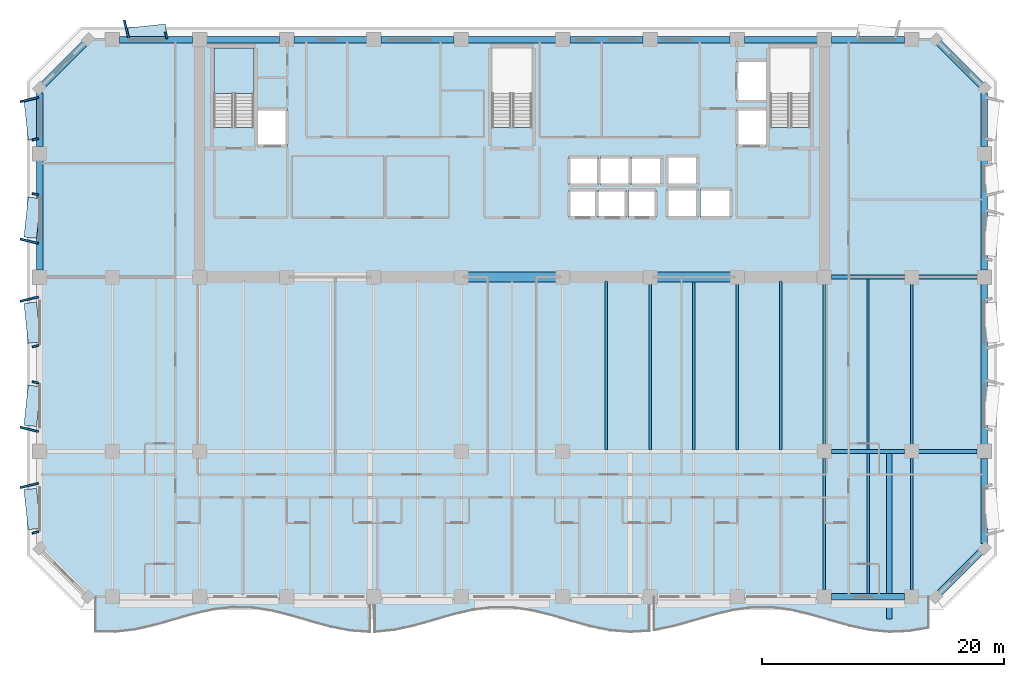
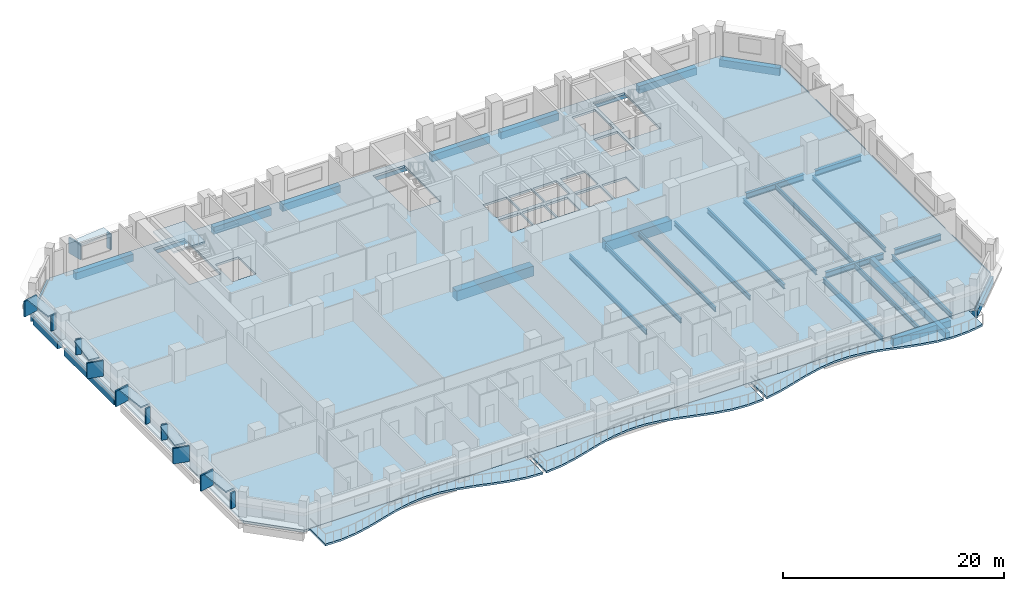
# One storey, part 2 of 15: 37 beams, 18 plates, 5 slabs, 1 element without a shape of its own.
"""IFC4 building model written with IfcOpenShell, lengths in metres."""

import ifcopenshell
import ifcopenshell.guid

model = None  # the IFC model being written
_history = None  # IfcOwnerHistory: only IFC2X3 demands one
_inside = {}  # id of a spatial element -> (the spatial element, [elements in it])
_under = {}  # id of a project, library or spatial element -> (it, [spatial elements below it])
_declared = {}  # id of a project -> (the project, [libraries it declares])
_typed = {}  # id of a type object -> (the type object, [elements of that type])
_made_of = {}  # id of a material, layer set ... -> (it, [elements and type objects made of it])


def new_model(schema):
    """Start an empty IFC model of exactly this schema.

    Asked for "IFC4X3", IfcOpenShell would pick the latest addendum, in which some entities
    have other attributes; the version numbers below select the first issue.
    IFC2X3 requires an IfcOwnerHistory on every rooted entity: one is made here for all.
    """
    global model, _history
    if schema == "IFC4X3":
        model = ifcopenshell.file(schema_version=(4, 3, 0, 0))
    else:
        model = ifcopenshell.file(schema=schema)
    _inside.clear()
    _under.clear()
    _declared.clear()
    _typed.clear()
    _made_of.clear()
    _history = None
    if model.schema == "IFC2X3":
        org = make("IfcOrganization", Name="unknown")
        user = make(
            "IfcPersonAndOrganization",
            ThePerson=make("IfcPerson", FamilyName="unknown"),
            TheOrganization=org,
        )
        app = make(
            "IfcApplication",
            ApplicationDeveloper=org,
            Version="unknown",
            ApplicationFullName="unknown",
            ApplicationIdentifier="unknown",
        )
        _history = make(
            "IfcOwnerHistory",
            OwningUser=user,
            OwningApplication=app,
            ChangeAction="ADDED",
            CreationDate=0,
        )
    return model


def make(cls, **values):
    """One entity of the class cls with the attributes given. An attribute that is None is left unset."""
    return model.create_entity(
        cls, **{name: value for name, value in values.items() if value is not None}
    )


def rooted(cls, **values):
    """An entity with a GlobalId (a new one), such as an element, a storey or a relation."""
    return make(cls, GlobalId=ifcopenshell.guid.new(), OwnerHistory=_history, **values)


def si_unit(unit_type, name, prefix=None):
    """IfcSIUnit, for example si_unit("LENGTHUNIT", "METRE", prefix="MILLI")."""
    return make("IfcSIUnit", UnitType=unit_type, Prefix=prefix, Name=name)


def assignment(units):
    """IfcUnitAssignment: the units of a project."""
    return None if units is None else make("IfcUnitAssignment", Units=units)


def point(xyz):
    """IfcCartesianPoint."""
    return None if xyz is None else make("IfcCartesianPoint", Coordinates=xyz)


def direction(xyz):
    """IfcDirection."""
    return None if xyz is None else make("IfcDirection", DirectionRatios=xyz)


def frame(location, z_axis=None, x_axis=None):
    """IfcAxis2Placement3D, a coordinate frame: its origin and axes. An axis left out is left unset."""
    return make(
        "IfcAxis2Placement3D",
        Location=point(location),
        Axis=direction(z_axis),
        RefDirection=direction(x_axis),
    )


def frame_2d(location, x_axis=None):
    """IfcAxis2Placement2D, a coordinate frame in the plane: its origin and x axis."""
    return make(
        "IfcAxis2Placement2D", Location=point(location), RefDirection=direction(x_axis)
    )


def origin():
    """The frame at (0, 0, 0) with its axes left unset."""
    return frame((0.0, 0.0, 0.0))


def origin_2d():
    """The frame at (0, 0) in the plane with its x axis left unset."""
    return frame_2d((0.0, 0.0))


def place(relative_to, where):
    """IfcLocalPlacement: puts the frame where relative to a parent placement (None: the world)."""
    return make(
        "IfcLocalPlacement", PlacementRelTo=relative_to, RelativePlacement=where
    )


def context(
    kind, dimensions, precision=None, world=None, true_north=None, identifier=None
):
    """IfcGeometricRepresentationContext, for example the 3D "Model" context."""
    return make(
        "IfcGeometricRepresentationContext",
        ContextIdentifier=identifier,
        ContextType=kind,
        CoordinateSpaceDimension=dimensions,
        Precision=precision,
        WorldCoordinateSystem=world,
        TrueNorth=true_north,
    )


def subcontext(parent, identifier, kind, view, scale=None):
    """IfcGeometricRepresentationSubContext, for example "Body" below "Model"."""
    return make(
        "IfcGeometricRepresentationSubContext",
        ContextIdentifier=identifier,
        ContextType=kind,
        ParentContext=parent,
        TargetScale=scale,
        TargetView=view,
    )


def project(units=None, contexts=None):
    """IfcProject with its units and contexts."""
    return rooted(
        "IfcProject",
        Name="project",
        RepresentationContexts=contexts,
        UnitsInContext=assignment(units),
    )


def spatial(cls, under=None, at=None, **own):
    """A site, building, storey or space (cls), placed at a placement, below another one or the project."""
    s = rooted(cls, ObjectPlacement=at, **own)
    if under is not None:
        _under.setdefault(under.id(), (under, []))[1].append(s)
    return s


def polyline(points):
    """IfcPolyline through the points."""
    return make("IfcPolyline", Points=[point(p) for p in points])


def profile(cls, at=None, kind="AREA", **sizes):
    """A parametric profile (cls). Its sizes go by their IFC names, for example OverallWidth=200.0."""
    return make(cls, ProfileType=kind, Position=at, **sizes)


def rectangle(**sizes):
    """IfcRectangleProfileDef."""
    return profile("IfcRectangleProfileDef", **sizes)


def i_section(**sizes):
    """IfcIShapeProfileDef."""
    return profile("IfcIShapeProfileDef", **sizes)


def outline(outer, holes=None, kind="AREA"):
    """IfcArbitraryClosedProfileDef: a profile drawn as a closed curve; with holes, ...WithVoids."""
    if holes is None:
        return make("IfcArbitraryClosedProfileDef", ProfileType=kind, OuterCurve=outer)
    return make(
        "IfcArbitraryProfileDefWithVoids",
        ProfileType=kind,
        OuterCurve=outer,
        InnerCurves=holes,
    )


def extrude(swept, where, along, depth):
    """IfcExtrudedAreaSolid: the profile swept, set in the frame where, extruded along a direction by depth."""
    return make(
        "IfcExtrudedAreaSolid",
        SweptArea=swept,
        Position=where,
        ExtrudedDirection=direction(along),
        Depth=depth,
    )


def shape(context_of_items, identifier, shape_type, items):
    """IfcShapeRepresentation: the items that make up one representation, for example the "Body"."""
    return make(
        "IfcShapeRepresentation",
        ContextOfItems=context_of_items,
        RepresentationIdentifier=identifier,
        RepresentationType=shape_type,
        Items=items,
    )


def material(Name=None, Category=None):
    """IfcMaterial."""
    return make("IfcMaterial", Name=Name, Category=Category)


def layer(
    of_material, thickness, ventilated=None, Name=None, Category=None, Priority=None
):
    """IfcMaterialLayer: one layer of a wall or slab, of a material (None: an air gap)."""
    return make(
        "IfcMaterialLayer",
        Material=of_material,
        LayerThickness=thickness,
        IsVentilated=ventilated,
        Name=Name,
        Category=Category,
        Priority=Priority,
    )


def layer_set(layers, Name=None):
    """IfcMaterialLayerSet."""
    return make("IfcMaterialLayerSet", MaterialLayers=layers, LayerSetName=Name)


def material_profile(
    of_material, cross_section, Name=None, Category=None, Priority=None
):
    """IfcMaterialProfile: a cross section and its material."""
    return make(
        "IfcMaterialProfile",
        Name=Name,
        Material=of_material,
        Profile=cross_section,
        Priority=Priority,
        Category=Category,
    )


def profile_set(profiles, Name=None, composite=None):
    """IfcMaterialProfileSet."""
    return make(
        "IfcMaterialProfileSet",
        Name=Name,
        MaterialProfiles=profiles,
        CompositeProfile=composite,
    )


def made_of(thing, what):
    """Note that an element or type object is made of a material, layer set ...; save() writes the relation."""
    if what is not None:
        _made_of.setdefault(what.id(), (what, []))[1].append(thing)
    return thing


def type_object(cls, material=None, **own):
    """A type object (cls), such as IfcWallType, which elements share."""
    return made_of(rooted(cls, **own), material)


def element(
    cls,
    number,
    at=None,
    inside=None,
    cuts=None,
    type_object=None,
    material=None,
    context=None,
    identifier="Body",
    shape_type=None,
    held_by="IfcProductDefinitionShape",
    body=None,
    shapes=None,
    **own,
):
    """One element of the class cls, such as IfcWall. Its Tag is "e" and its number.

    at: its placement. inside: the storey or other place that contains it. cuts: it is an
    opening in that element (IfcRelVoidsElement). A single representation is given by context,
    identifier, shape_type and body (its items); several are given by shapes. held_by: the class
    of the entity that holds the representations. save() writes the other relations.
    """
    e = rooted(cls, Tag="e%d" % number, ObjectPlacement=at, **own)
    if body is not None:
        shapes = [shape(context, identifier, shape_type, body)]
    if shapes is not None:
        e.Representation = make(held_by, Representations=shapes)
    if inside is not None:
        _inside.setdefault(inside.id(), (inside, []))[1].append(e)
    if cuts is not None:
        rooted(
            "IfcRelVoidsElement", RelatingBuildingElement=cuts, RelatedOpeningElement=e
        )
    if type_object is not None:
        _typed.setdefault(type_object.id(), (type_object, []))[1].append(e)
    return made_of(e, material)


def aggregate(whole, parts):
    """IfcRelAggregates: a whole, such as a stair, and the parts it consists of."""
    return rooted("IfcRelAggregates", RelatingObject=whole, RelatedObjects=parts)


def save(model, path):
    """Write the relations noted so far, then the file.

    IfcRelAggregates (storeys below a building ...), IfcRelContainedInSpatialStructure (elements
    in a storey), IfcRelDefinesByType, IfcRelAssociatesMaterial and IfcRelDeclares: one each for
    every whole, place, type object, material and project.
    """
    for whole, parts in _under.values():
        aggregate(whole, parts)
    for where, things in _inside.values():
        rooted(
            "IfcRelContainedInSpatialStructure",
            RelatedElements=things,
            RelatingStructure=where,
        )
    for kind, things in _typed.values():
        rooted("IfcRelDefinesByType", RelatedObjects=things, RelatingType=kind)
    for what, things in _made_of.values():
        rooted("IfcRelAssociatesMaterial", RelatedObjects=things, RelatingMaterial=what)
    for by, libraries in _declared.values():
        rooted("IfcRelDeclares", RelatingContext=by, RelatedDefinitions=libraries)
    model.write(path)


model = new_model("IFC4")

# Units and contexts
model_context = context("Model", 3, precision=1e-05, world=origin(), true_north=direction((0.0, 1.0)))
body_context = subcontext(model_context, "Body", "Model", "MODEL_VIEW")
ifc_project = project(units=[si_unit("LENGTHUNIT", "METRE"), si_unit("AREAUNIT", "SQUARE_METRE"), si_unit("VOLUMEUNIT", "CUBIC_METRE"), si_unit("PLANEANGLEUNIT", "RADIAN"), si_unit("MASSUNIT", "GRAM", prefix="KILO")], contexts=[model_context])

# Site, building, storey
site_placement = place(None, origin())
site = spatial("IfcSite", under=ifc_project, at=site_placement, CompositionType="ELEMENT")
building_placement = place(site_placement, origin())
building = spatial("IfcBuilding", under=site, at=building_placement, Name="Kaelvorn Grand Hotel", CompositionType="ELEMENT")
storey_placement = place(building_placement, frame((0.0, 0.0, 142.949951171875)))
storey = spatial("IfcBuildingStorey", under=building, at=storey_placement, Name="L34", CompositionType="ELEMENT", Elevation=142.949951171875)

# Beams
ifc_material_1 = material(Name="Steel S355", Category="steel")
ifc_material_profile_1 = material_profile(ifc_material_1, i_section(OverallWidth=0.300048828125, OverallDepth=0.64990234375, WebThickness=0.01611328125, FlangeThickness=0.031005859375, FilletRadius=0.027099609375, at=origin_2d()), Name="HEB 650")
ifc_profile_set_1 = profile_set([ifc_material_profile_1], Name="Steel S355")
beam_type_1 = type_object("IfcBeamType", Name="BM-G-HEB650-S355", PredefinedType="BEAM", material=ifc_profile_set_1)
beam_1_placement = place(storey_placement, frame((68.385009765625, 15.0, -0.56494140625), z_axis=(1.0, 0.0, 0.0), x_axis=(0.0, 1.0, 0.0)))
element("IfcBeam", 1, at=beam_1_placement, inside=storey, type_object=beam_type_1, Name="L34 Primary Spine Steel Girder G-15 06", PredefinedType="BEAM", context=body_context, shape_type="SweptSolid", body=[
    extrude(i_section(OverallWidth=0.300048828125, OverallDepth=0.64990234375, WebThickness=0.01611328125, FlangeThickness=0.031005859375, FilletRadius=0.027099609375, at=origin_2d()), origin(), (0.0, 0.0, 1.0), 6.030029296875),
])
beam_2_placement = place(storey_placement, frame((75.5849609375, 15.0, -0.56494140625), z_axis=(1.0, 0.0, 0.0), x_axis=(0.0, 1.0, 0.0)))
element("IfcBeam", 2, at=beam_2_placement, inside=storey, type_object=beam_type_1, Name="L34 Primary Spine Steel Girder G-15 07", PredefinedType="BEAM", context=body_context, shape_type="SweptSolid", body=[
    extrude(i_section(OverallWidth=0.300048828125, OverallDepth=0.64990234375, WebThickness=0.01611328125, FlangeThickness=0.031005859375, FilletRadius=0.027099609375, at=origin_2d()), origin(), (0.0, 0.0, 1.0), 4.830078125),
])
beam_3_placement = place(storey_placement, frame((68.385009765625, 29.39990234375, -0.56494140625), z_axis=(1.0, 0.0, 0.0), x_axis=(0.0, 1.0, 0.0)))
element("IfcBeam", 3, at=beam_3_placement, inside=storey, type_object=beam_type_1, Name="L34 East Core Wing Steel Girder G-29E 01", PredefinedType="BEAM", context=body_context, shape_type="SweptSolid", body=[
    extrude(i_section(OverallWidth=0.300048828125, OverallDepth=0.64990234375, WebThickness=0.01611328125, FlangeThickness=0.031005859375, FilletRadius=0.027099609375, at=origin_2d()), origin(), (0.0, 0.0, 1.0), 6.030029296875),
])
beam_4_placement = place(storey_placement, frame((75.5849609375, 29.39990234375, -0.56494140625), z_axis=(1.0, 0.0, 0.0), x_axis=(0.0, 1.0, 0.0)))
element("IfcBeam", 4, at=beam_4_placement, inside=storey, type_object=beam_type_1, Name="L34 East Core Wing Steel Girder G-29E 02", PredefinedType="BEAM", context=body_context, shape_type="SweptSolid", body=[
    extrude(i_section(OverallWidth=0.300048828125, OverallDepth=0.64990234375, WebThickness=0.01611328125, FlangeThickness=0.031005859375, FilletRadius=0.027099609375, at=origin_2d()), origin(), (0.0, 0.0, 1.0), 4.830078125),
])
ifc_material_profile_2 = material_profile(ifc_material_1, i_section(OverallWidth=0.199951171875, OverallDepth=0.5, WebThickness=0.01025390625, FlangeThickness=0.01611328125, FilletRadius=0.02099609375, at=origin_2d()), Name="IPE 500")
ifc_profile_set_2 = profile_set([ifc_material_profile_2], Name="Steel S355")
beam_type_2 = type_object("IfcBeamType", Name="BM-J-IPE500-S355", PredefinedType="JOIST", material=ifc_profile_set_2)
beam_5_placement = place(storey_placement, frame((49.800048828125, 15.135009765625, -0.489990234375), z_axis=(0.0, 1.0, 0.0), x_axis=(-1.0, 0.0, 0.0)))
element("IfcBeam", 5, at=beam_5_placement, inside=storey, type_object=beam_type_2, Name="L34 Composite Floor Joist JM-14", PredefinedType="JOIST", context=body_context, shape_type="SweptSolid", body=[
    extrude(i_section(OverallWidth=0.199951171875, OverallDepth=0.5, WebThickness=0.01025390625, FlangeThickness=0.01611328125, FilletRadius=0.02099609375, at=origin_2d()), origin(), (0.0, 0.0, 1.0), 13.925048828125),
])
beam_6_placement = place(storey_placement, frame((53.39990234375, 15.135009765625, -0.489990234375), z_axis=(0.0, 1.0, 0.0), x_axis=(-1.0, 0.0, 0.0)))
element("IfcBeam", 6, at=beam_6_placement, inside=storey, type_object=beam_type_2, Name="L34 Composite Floor Joist JM-15", PredefinedType="JOIST", context=body_context, shape_type="SweptSolid", body=[
    extrude(i_section(OverallWidth=0.199951171875, OverallDepth=0.5, WebThickness=0.01025390625, FlangeThickness=0.01611328125, FilletRadius=0.02099609375, at=origin_2d()), origin(), (0.0, 0.0, 1.0), 13.679931640625),
])
beam_7_placement = place(storey_placement, frame((57.0, 15.135009765625, -0.489990234375), z_axis=(0.0, 1.0, 0.0), x_axis=(-1.0, 0.0, 0.0)))
element("IfcBeam", 7, at=beam_7_placement, inside=storey, type_object=beam_type_2, Name="L34 Composite Floor Joist JM-16", PredefinedType="JOIST", context=body_context, shape_type="SweptSolid", body=[
    extrude(i_section(OverallWidth=0.199951171875, OverallDepth=0.5, WebThickness=0.01025390625, FlangeThickness=0.01611328125, FilletRadius=0.02099609375, at=origin_2d()), origin(), (0.0, 0.0, 1.0), 13.925048828125),
])
beam_8_placement = place(storey_placement, frame((60.60009765625, 15.135009765625, -0.489990234375), z_axis=(0.0, 1.0, 0.0), x_axis=(-1.0, 0.0, 0.0)))
element("IfcBeam", 8, at=beam_8_placement, inside=storey, type_object=beam_type_2, Name="L34 Composite Floor Joist JM-17", PredefinedType="JOIST", context=body_context, shape_type="SweptSolid", body=[
    extrude(i_section(OverallWidth=0.199951171875, OverallDepth=0.5, WebThickness=0.01025390625, FlangeThickness=0.01611328125, FilletRadius=0.02099609375, at=origin_2d()), origin(), (0.0, 0.0, 1.0), 13.679931640625),
])
beam_9_placement = place(storey_placement, frame((64.199951171875, 15.135009765625, -0.489990234375), z_axis=(0.0, 1.0, 0.0), x_axis=(-1.0, 0.0, 0.0)))
element("IfcBeam", 9, at=beam_9_placement, inside=storey, type_object=beam_type_2, Name="L34 Composite Floor Joist JM-18", PredefinedType="JOIST", context=body_context, shape_type="SweptSolid", body=[
    extrude(i_section(OverallWidth=0.199951171875, OverallDepth=0.5, WebThickness=0.01025390625, FlangeThickness=0.01611328125, FilletRadius=0.02099609375, at=origin_2d()), origin(), (0.0, 0.0, 1.0), 13.925048828125),
])
beam_10_placement = place(storey_placement, frame((67.800048828125, 15.5849609375, -0.489990234375), z_axis=(0.0, 1.0, 0.0), x_axis=(-1.0, 0.0, 0.0)))
element("IfcBeam", 10, at=beam_10_placement, inside=storey, type_object=beam_type_2, Name="L34 Composite Floor Joist JM-19", PredefinedType="JOIST", context=body_context, shape_type="SweptSolid", body=[
    extrude(i_section(OverallWidth=0.199951171875, OverallDepth=0.5, WebThickness=0.01025390625, FlangeThickness=0.01611328125, FilletRadius=0.02099609375, at=origin_2d()), origin(), (0.0, 0.0, 1.0), 13.22998046875),
])
beam_11_placement = place(storey_placement, frame((71.39990234375, 15.135009765625, -0.489990234375), z_axis=(0.0, 1.0, 0.0), x_axis=(-1.0, 0.0, 0.0)))
element("IfcBeam", 11, at=beam_11_placement, inside=storey, type_object=beam_type_2, Name="L34 Composite Floor Joist JM-20", PredefinedType="JOIST", context=body_context, shape_type="SweptSolid", body=[
    extrude(i_section(OverallWidth=0.199951171875, OverallDepth=0.5, WebThickness=0.01025390625, FlangeThickness=0.01611328125, FilletRadius=0.02099609375, at=origin_2d()), origin(), (0.0, 0.0, 1.0), 14.1298828125),
])
beam_12_placement = place(storey_placement, frame((75.0, 15.5849609375, -0.489990234375), z_axis=(0.0, 1.0, 0.0), x_axis=(-1.0, 0.0, 0.0)))
element("IfcBeam", 12, at=beam_12_placement, inside=storey, type_object=beam_type_2, Name="L34 Composite Floor Joist JM-21", PredefinedType="JOIST", context=body_context, shape_type="SweptSolid", body=[
    extrude(i_section(OverallWidth=0.199951171875, OverallDepth=0.5, WebThickness=0.01025390625, FlangeThickness=0.01611328125, FilletRadius=0.02099609375, at=origin_2d()), origin(), (0.0, 0.0, 1.0), 13.22998046875),
])
ifc_material_profile_3 = material_profile(ifc_material_1, i_section(OverallWidth=0.2099609375, OverallDepth=0.550048828125, WebThickness=0.010986328125, FlangeThickness=0.01708984375, FilletRadius=0.02392578125, at=origin_2d()), Name="IPE 550")
ifc_profile_set_3 = profile_set([ifc_material_profile_3], Name="Steel S355")
beam_type_3 = type_object("IfcBeamType", Name="BM-J-IPE550-S355", PredefinedType="JOIST", material=ifc_profile_set_3)
beam_13_placement = place(storey_placement, frame((67.800048828125, 3.5849609375, -0.514892578125), z_axis=(0.0, 1.0, 0.0), x_axis=(-1.0, 0.0, 0.0)))
element("IfcBeam", 13, at=beam_13_placement, inside=storey, type_object=beam_type_3, Name="L34 Composite Floor Joist JS-19", PredefinedType="JOIST", context=body_context, shape_type="SweptSolid", body=[
    extrude(i_section(OverallWidth=0.2099609375, OverallDepth=0.550048828125, WebThickness=0.010986328125, FlangeThickness=0.01708984375, FilletRadius=0.02392578125, at=origin_2d()), origin(), (0.0, 0.0, 1.0), 10.830078125),
])
beam_14_placement = place(storey_placement, frame((71.39990234375, 3.260009765625, -0.514892578125), z_axis=(0.0, 1.0, 0.0), x_axis=(-1.0, 0.0, 0.0)))
element("IfcBeam", 14, at=beam_14_placement, inside=storey, type_object=beam_type_3, Name="L34 Composite Floor Joist JS-20", PredefinedType="JOIST", context=body_context, shape_type="SweptSolid", body=[
    extrude(i_section(OverallWidth=0.2099609375, OverallDepth=0.550048828125, WebThickness=0.010986328125, FlangeThickness=0.01708984375, FilletRadius=0.02392578125, at=origin_2d()), origin(), (0.0, 0.0, 1.0), 11.60498046875),
])
beam_15_placement = place(storey_placement, frame((75.0, 3.5849609375, -0.514892578125), z_axis=(0.0, 1.0, 0.0), x_axis=(-1.0, 0.0, 0.0)))
element("IfcBeam", 15, at=beam_15_placement, inside=storey, type_object=beam_type_3, Name="L34 Composite Floor Joist JS-21", PredefinedType="JOIST", context=body_context, shape_type="SweptSolid", body=[
    extrude(i_section(OverallWidth=0.2099609375, OverallDepth=0.550048828125, WebThickness=0.010986328125, FlangeThickness=0.01708984375, FilletRadius=0.02392578125, at=origin_2d()), origin(), (0.0, 0.0, 1.0), 10.830078125),
])
ifc_material_2 = material(Name="Concrete C60/75", Category="concrete")
ifc_material_profile_4 = material_profile(ifc_material_2, rectangle(XDim=0.800048828125, YDim=1.10009765625, at=origin_2d()), Name="RC LINTEL 800x1100")
ifc_profile_set_4 = profile_set([ifc_material_profile_4], Name="Concrete C60/75")
beam_type_4 = type_object("IfcBeamType", Name="BM-LIN-800x1100-C60", PredefinedType="LINTEL", material=ifc_profile_set_4)
beam_16_placement = place(storey_placement, frame((37.97998046875, 29.39990234375, -0.7900390625), z_axis=(1.0, 0.0, 0.0), x_axis=(0.0, 1.0, 0.0)))
element("IfcBeam", 16, at=beam_16_placement, inside=storey, type_object=beam_type_4, Name="L34 Rear-Core Coupling Lintel Beam CB1-02", PredefinedType="LINTEL", context=body_context, shape_type="SweptSolid", body=[
    extrude(rectangle(XDim=0.800048828125, YDim=1.10009765625, at=origin_2d()), origin(), (0.0, 0.0, 1.0), 8.0400390625),
])
beam_17_placement = place(storey_placement, frame((53.580078125, 29.39990234375, -0.7900390625), z_axis=(1.0, 0.0, 0.0), x_axis=(0.0, 1.0, 0.0)))
element("IfcBeam", 17, at=beam_17_placement, inside=storey, type_object=beam_type_4, Name="L34 Rear-Core Coupling Lintel Beam CB1-03", PredefinedType="LINTEL", context=body_context, shape_type="SweptSolid", body=[
    extrude(rectangle(XDim=0.800048828125, YDim=1.10009765625, at=origin_2d()), origin(), (0.0, 0.0, 1.0), 6.83984375),
])
ifc_material_3 = material(Name="Concrete C40/50", Category="concrete")
ifc_material_profile_5 = material_profile(ifc_material_3, rectangle(XDim=0.449951171875, YDim=0.64990234375, at=origin_2d()), Name="RC RIB 450x650")
ifc_profile_set_5 = profile_set([ifc_material_profile_5], Name="Concrete C40/50")
beam_type_5 = type_object("IfcBeamType", Name="BM-RIB-450x650-C40", PredefinedType="SPANDREL", material=ifc_profile_set_5)
beam_18_placement = place(storey_placement, frame((73.161865234375, 1.14990234375, -0.544921875), z_axis=(0.0, 1.0, 0.0), x_axis=(-1.0, 0.0, 0.0)))
element("IfcBeam", 18, at=beam_18_placement, inside=storey, type_object=beam_type_5, Name="L34 Cantilevered Balcony Back-Span Rib RB1-3", PredefinedType="SPANDREL", context=body_context, shape_type="SweptSolid", body=[
    extrude(rectangle(XDim=0.449951171875, YDim=0.64990234375, at=origin_2d()), origin(), (0.0, 0.0, 1.0), 13.715087890625),
])
ifc_material_4 = material(Name="Concrete C50/60", Category="concrete")
ifc_material_profile_6 = material_profile(ifc_material_4, rectangle(XDim=0.550048828125, YDim=0.800048828125, at=origin_2d()), Name="RC SPANDREL 550x800")
ifc_profile_set_6 = profile_set([ifc_material_profile_6], Name="Concrete C50/60")
beam_type_6 = type_object("IfcBeamType", Name="BM-SP-550x800-C50", PredefinedType="SPANDREL", material=ifc_profile_set_6)
for number, where, z_axis, x_axis, name in (
    (19, (68.385009765625, 3.0, -0.639892578125), (1.0, 0.0, 0.0), (0.0, 1.0, 0.0), "L34 South Perimeter Spandrel 10"),
    (20, (9.5849609375, 49.0, -0.639892578125), (1.0, 0.0, 0.0), (0.0, 1.0, 0.0), "L34 North Perimeter Spandrel 02"),
    (21, (16.784912109375, 49.0, -0.639892578125), (1.0, 0.0, 0.0), (0.0, 1.0, 0.0), "L34 North Perimeter Spandrel 03"),
):
    element("IfcBeam", number, at=place(storey_placement, frame(where, z_axis=z_axis, x_axis=x_axis)), inside=storey, type_object=beam_type_6, Name=name, PredefinedType="SPANDREL", context=body_context, shape_type="SweptSolid", body=[
        extrude(rectangle(XDim=0.550048828125, YDim=0.800048828125, at=origin_2d()), origin(), (0.0, 0.0, 1.0), 6.030029296875),
    ])
beam_19_placement = place(storey_placement, frame((23.985107421875, 49.0, -0.639892578125), z_axis=(1.0, 0.0, 0.0), x_axis=(0.0, 1.0, 0.0)))
element("IfcBeam", 22, at=beam_19_placement, inside=storey, type_object=beam_type_6, Name="L34 North Perimeter Spandrel 04", PredefinedType="SPANDREL", context=body_context, shape_type="SweptSolid", body=[
    extrude(rectangle(XDim=0.550048828125, YDim=0.800048828125, at=origin_2d()), origin(), (0.0, 0.0, 1.0), 6.02978515625),
])
beam_20_placement = place(storey_placement, frame((31.18505859375, 49.0, -0.639892578125), z_axis=(1.0, 0.0, 0.0), x_axis=(0.0, 1.0, 0.0)))
element("IfcBeam", 23, at=beam_20_placement, inside=storey, type_object=beam_type_6, Name="L34 North Perimeter Spandrel 05", PredefinedType="SPANDREL", context=body_context, shape_type="SweptSolid", body=[
    extrude(rectangle(XDim=0.550048828125, YDim=0.800048828125, at=origin_2d()), origin(), (0.0, 0.0, 1.0), 6.030029296875),
])
beam_21_placement = place(storey_placement, frame((38.385009765625, 49.0, -0.639892578125), z_axis=(1.0, 0.0, 0.0), x_axis=(0.0, 1.0, 0.0)))
element("IfcBeam", 24, at=beam_21_placement, inside=storey, type_object=beam_type_6, Name="L34 North Perimeter Spandrel 06", PredefinedType="SPANDREL", context=body_context, shape_type="SweptSolid", body=[
    extrude(rectangle(XDim=0.550048828125, YDim=0.800048828125, at=origin_2d()), origin(), (0.0, 0.0, 1.0), 7.22998046875),
])
beam_22_placement = place(storey_placement, frame((46.784912109375, 49.0, -0.639892578125), z_axis=(1.0, 0.0, 0.0), x_axis=(0.0, 1.0, 0.0)))
element("IfcBeam", 25, at=beam_22_placement, inside=storey, type_object=beam_type_6, Name="L34 North Perimeter Spandrel 07", PredefinedType="SPANDREL", context=body_context, shape_type="SweptSolid", body=[
    extrude(rectangle(XDim=0.550048828125, YDim=0.800048828125, at=origin_2d()), origin(), (0.0, 0.0, 1.0), 6.030029296875),
])
beam_23_placement = place(storey_placement, frame((53.985107421875, 49.0, -0.639892578125), z_axis=(1.0, 0.0, 0.0), x_axis=(0.0, 1.0, 0.0)))
element("IfcBeam", 26, at=beam_23_placement, inside=storey, type_object=beam_type_6, Name="L34 North Perimeter Spandrel 08", PredefinedType="SPANDREL", context=body_context, shape_type="SweptSolid", body=[
    extrude(rectangle(XDim=0.550048828125, YDim=0.800048828125, at=origin_2d()), origin(), (0.0, 0.0, 1.0), 6.02978515625),
])
for number, where, z_axis, x_axis, name in (
    (27, (61.18505859375, 49.0, -0.639892578125), (1.0, 0.0, 0.0), (0.0, 1.0, 0.0), "L34 North Perimeter Spandrel 09"),
    (28, (68.385009765625, 49.0, -0.639892578125), (1.0, 0.0, 0.0), (0.0, 1.0, 0.0), "L34 North Perimeter Spandrel 10"),
):
    element("IfcBeam", number, at=place(storey_placement, frame(where, z_axis=z_axis, x_axis=x_axis)), inside=storey, type_object=beam_type_6, Name=name, PredefinedType="SPANDREL", context=body_context, shape_type="SweptSolid", body=[
        extrude(rectangle(XDim=0.550048828125, YDim=0.800048828125, at=origin_2d()), origin(), (0.0, 0.0, 1.0), 6.030029296875),
    ])
beam_24_placement = place(storey_placement, frame((3.0, 29.985107421875, -0.639892578125), z_axis=(0.0, 1.0, 0.0), x_axis=(-1.0, 0.0, 0.0)))
element("IfcBeam", 29, at=beam_24_placement, inside=storey, type_object=beam_type_6, Name="L34 West Perimeter Spandrel 03", PredefinedType="SPANDREL", context=body_context, shape_type="SweptSolid", body=[
    extrude(rectangle(XDim=0.550048828125, YDim=0.800048828125, at=origin_2d()), origin(), (0.0, 0.0, 1.0), 9.02978515625),
])
beam_25_placement = place(storey_placement, frame((3.0, 40.18505859375, -0.639892578125), z_axis=(0.0, 1.0, 0.0), x_axis=(-1.0, 0.0, 0.0)))
element("IfcBeam", 30, at=beam_25_placement, inside=storey, type_object=beam_type_6, Name="L34 West Perimeter Spandrel 04", PredefinedType="SPANDREL", context=body_context, shape_type="SweptSolid", body=[
    extrude(rectangle(XDim=0.550048828125, YDim=0.800048828125, at=origin_2d()), origin(), (0.0, 0.0, 1.0), 4.409912109375),
])
beam_26_placement = place(storey_placement, frame((81.0, 7.405029296875, -0.639892578125), z_axis=(0.0, 1.0, 0.0), x_axis=(-1.0, 0.0, 0.0)))
element("IfcBeam", 31, at=beam_26_placement, inside=storey, type_object=beam_type_6, Name="L34 East Perimeter Spandrel 01", PredefinedType="SPANDREL", context=body_context, shape_type="SweptSolid", body=[
    extrude(rectangle(XDim=0.550048828125, YDim=0.800048828125, at=origin_2d()), origin(), (0.0, 0.0, 1.0), 7.010009765625),
])
beam_27_placement = place(storey_placement, frame((81.0, 15.5849609375, -0.639892578125), z_axis=(0.0, 1.0, 0.0), x_axis=(-1.0, 0.0, 0.0)))
element("IfcBeam", 32, at=beam_27_placement, inside=storey, type_object=beam_type_6, Name="L34 East Perimeter Spandrel 02", PredefinedType="SPANDREL", context=body_context, shape_type="SweptSolid", body=[
    extrude(rectangle(XDim=0.550048828125, YDim=0.800048828125, at=origin_2d()), origin(), (0.0, 0.0, 1.0), 13.22998046875),
])
beam_28_placement = place(storey_placement, frame((81.0, 29.985107421875, -0.639892578125), z_axis=(0.0, 1.0, 0.0), x_axis=(-1.0, 0.0, 0.0)))
element("IfcBeam", 33, at=beam_28_placement, inside=storey, type_object=beam_type_6, Name="L34 East Perimeter Spandrel 03", PredefinedType="SPANDREL", context=body_context, shape_type="SweptSolid", body=[
    extrude(rectangle(XDim=0.550048828125, YDim=0.800048828125, at=origin_2d()), origin(), (0.0, 0.0, 1.0), 9.02978515625),
])
beam_29_placement = place(storey_placement, frame((81.0, 40.18505859375, -0.639892578125), z_axis=(0.0, 1.0, 0.0), x_axis=(-1.0, 0.0, 0.0)))
element("IfcBeam", 34, at=beam_29_placement, inside=storey, type_object=beam_type_6, Name="L34 East Perimeter Spandrel 04", PredefinedType="SPANDREL", context=body_context, shape_type="SweptSolid", body=[
    extrude(rectangle(XDim=0.550048828125, YDim=0.800048828125, at=origin_2d()), origin(), (0.0, 0.0, 1.0), 4.409912109375),
])
for number, where, z_axis, x_axis, name in (
    (35, (77.0, 3.0, -0.639892578125), (0.707106781187, 0.707106781187, 0.0), (-0.707106781187, 0.707106781187, 0.0), "L34 Chamfer Spandrel Beam 1"),
    (36, (81.0, 45.0, -0.639892578125), (-0.707106781187, 0.707106781187, 0.0), (-0.707106781187, -0.707106781187, 0.0), "L34 Chamfer Spandrel Beam 2"),
    (37, (7.0, 49.0, -0.639892578125), (-0.707106781187, -0.707106781187, 0.0), (0.707106781187, -0.707106781187, 0.0), "L34 Chamfer Spandrel Beam 3"),
):
    element("IfcBeam", number, at=place(storey_placement, frame(where, z_axis=z_axis, x_axis=x_axis)), inside=storey, type_object=beam_type_6, Name=name, PredefinedType="SPANDREL", context=body_context, shape_type="SweptSolid", body=[
        extrude(rectangle(XDim=0.550048828125, YDim=0.800048828125, at=origin_2d()), origin(), (0.0, 0.0, 1.0), 5.65673828125),
    ])

# Plates
ifc_material_5 = material(Name="Precast concrete C45/55", Category="concrete")
ifc_layer_1 = layer(ifc_material_5, 0.159912109375)
ifc_layer_set_1 = layer_set([ifc_layer_1], Name="Precast concrete C45/55")
plate_type_1 = type_object("IfcPlateType", Name="PL-FRAME-DEEP-1550", PredefinedType="USERDEFINED", material=ifc_layer_set_1)
for number, where, z_axis, x_axis, name in (
    (38, (2.14501953125, 12.18994140625, 0.81494140625), (0.0, 0.0, 1.0), (-0.233445363856, 0.972369920398, 0.0), "L34 Tilted Precast Window Frame Fin R-W01"),
    (39, (2.14501953125, 16.824951171875, 0.81494140625), (0.0, 0.0, 1.0), (0.233445363856, 0.972369920398, 0.0), "L34 Tilted Precast Window Frame Fin L-W02"),
    (40, (2.14501953125, 27.574951171875, 0.81494140625), (0.0, 0.0, 1.0), (-0.233445363856, 0.972369920398, 0.0), "L34 Tilted Precast Window Frame Fin R-W03"),
    (41, (2.14501953125, 32.360107421875, 0.81494140625), (0.0, 0.0, 1.0), (0.233445363856, 0.972369920398, 0.0), "L34 Tilted Precast Window Frame Fin L-W04"),
    (42, (2.14501953125, 44.054931640625, 0.740234375), (0.0, 0.0, 1.0), (-0.233445363856, 0.972369920398, 0.0), "L34 Tilted Precast Window Frame Fin R-W05"),
    (43, (10.159912109375, 49.85498046875, 0.740234375), (0.0, 0.0, 1.0), (0.972369920398, 0.233445363856, 0.0), "L34 Tilted Precast Window Frame Fin L-N01"),
):
    element("IfcPlate", number, at=place(storey_placement, frame(where, z_axis=z_axis, x_axis=x_axis)), inside=storey, type_object=plate_type_1, Name=name, ObjectType="FLANGE_PLATE", PredefinedType="USERDEFINED", context=body_context, shape_type="SweptSolid", body=[
        extrude(rectangle(XDim=0.159912109375, YDim=1.550048828125, at=origin_2d()), origin(), (0.0, 0.0, 1.0), 1.719970703125),
    ])
ifc_layer_2 = layer(ifc_material_5, 0.159912109375)
ifc_layer_set_2 = layer_set([ifc_layer_2], Name="Precast concrete C45/55")
plate_type_2 = type_object("IfcPlateType", Name="PL-FRAME-HEAD-1050", PredefinedType="USERDEFINED", material=ifc_layer_set_2)
for number, where, z_axis, x_axis, name in (
    (44, (2.39501953125, 10.25, 2.5), (0.0, 0.0, 1.0), (-0.105830199459, 0.994384215926, 0.0), "L34 Precast Window Frame Head Hood H-W01"),
    (45, (2.39501953125, 18.764892578125, 2.5), (0.0, 0.0, 1.0), (0.105830199459, 0.994384215926, 0.0), "L34 Precast Window Frame Head Hood H-W02"),
    (46, (2.39501953125, 25.635009765625, 2.5), (0.0, 0.0, 1.0), (-0.105830199459, 0.994384215926, 0.0), "L34 Precast Window Frame Head Hood H-W03"),
    (47, (2.39501953125, 34.300048828125, 2.5), (0.0, 0.0, 1.0), (0.105830199459, 0.994384215926, 0.0), "L34 Precast Window Frame Head Hood H-W04"),
    (48, (2.39501953125, 42.4150390625, 2.35009765625), (0.0, 0.0, 1.0), (-0.105830199459, 0.994384215926, 0.0), "L34 Precast Window Frame Head Hood H-W05"),
    (49, (11.800048828125, 49.60498046875, 2.35009765625), (0.0, 0.0, 1.0), (0.994384215926, 0.105830199459, 0.0), "L34 Precast Window Frame Head Hood H-N01"),
):
    element("IfcPlate", number, at=place(storey_placement, frame(where, z_axis=z_axis, x_axis=x_axis)), inside=storey, type_object=plate_type_2, Name=name, ObjectType="FLANGE_PLATE", PredefinedType="USERDEFINED", context=body_context, shape_type="SweptSolid", body=[
        extrude(rectangle(XDim=3.320068359375, YDim=1.050048828125, at=origin_2d()), origin(), (0.0, 0.0, 1.0), 0.159912109375),
    ])
ifc_layer_3 = layer(ifc_material_5, 0.159912109375)
ifc_layer_set_3 = layer_set([ifc_layer_3], Name="Precast concrete C45/55")
plate_type_3 = type_object("IfcPlateType", Name="PL-FRAME-SHAL-550", PredefinedType="USERDEFINED", material=ifc_layer_set_3)
for number, where, z_axis, x_axis, name in (
    (50, (2.64501953125, 8.31005859375, 0.81494140625), (0.0, 0.0, 1.0), (-0.233445363856, 0.972369920398, 0.0), "L34 Tilted Precast Window Frame Fin L-W01"),
    (51, (2.64501953125, 20.705078125, 0.81494140625), (0.0, 0.0, 1.0), (0.233445363856, 0.972369920398, 0.0), "L34 Tilted Precast Window Frame Fin R-W02"),
    (52, (2.64501953125, 23.695068359375, 0.81494140625), (0.0, 0.0, 1.0), (-0.233445363856, 0.972369920398, 0.0), "L34 Tilted Precast Window Frame Fin L-W03"),
    (53, (2.64501953125, 36.239990234375, 0.81494140625), (0.0, 0.0, 1.0), (0.233445363856, 0.972369920398, 0.0), "L34 Tilted Precast Window Frame Fin R-W04"),
    (54, (2.64501953125, 40.77490234375, 0.740234375), (0.0, 0.0, 1.0), (-0.233445363856, 0.972369920398, 0.0), "L34 Tilted Precast Window Frame Fin L-W05"),
    (55, (13.43994140625, 49.35498046875, 0.740234375), (0.0, 0.0, 1.0), (0.972369920398, 0.233445363856, 0.0), "L34 Tilted Precast Window Frame Fin R-N01"),
):
    element("IfcPlate", number, at=place(storey_placement, frame(where, z_axis=z_axis, x_axis=x_axis)), inside=storey, type_object=plate_type_3, Name=name, ObjectType="FLANGE_PLATE", PredefinedType="USERDEFINED", context=body_context, shape_type="SweptSolid", body=[
        extrude(rectangle(XDim=0.159912109375, YDim=0.550048828125, at=origin_2d()), origin(), (0.0, 0.0, 1.0), 1.719970703125),
    ])

# Slabs
ifc_layer_4 = layer(ifc_material_3, 0.219970703125)
ifc_layer_set_4 = layer_set([ifc_layer_4], Name="Concrete C40/50")
slab_type_1 = type_object("IfcSlabType", Name="SLB-BALC-220-C40", PredefinedType="FLOOR", material=ifc_layer_set_4)
slab_1_placement = place(storey_placement, frame((0.0, 0.0, -0.219970703125)))
element("IfcSlab", 56, at=slab_1_placement, inside=storey, type_object=slab_type_1, Name="L34 Scalloped Wave Balcony Slab 1", PredefinedType="FLOOR", context=body_context, shape_type="SweptSolid", body=[
    extrude(outline(polyline([(7.60009765625, 0.150146484375), (9.218994140625, 0.112548828125), (10.838134765625, 0.29541015625), (12.45703125, 0.658935546875), (14.076171875, 1.123779296875), (15.6953125, 1.589111328125), (17.314208984375, 1.953125), (18.933349609375, 2.136962890625), (20.552490234375, 2.1005859375), (22.17138671875, 1.8515625), (23.79052734375, 1.4443359375), (25.409423828125, 0.9677734375), (27.028564453125, 0.525390625), (28.647705078125, 0.21337890625), (30.2666015625, 0.10009765625), (30.2666015625, 3.0), (7.60009765625, 3.0), (7.60009765625, 0.150146484375)])), origin(), (0.0, 0.0, 1.0), 0.219970703125),
])
slab_2_placement = place(storey_placement, frame((0.0, 0.0, -0.219970703125)))
element("IfcSlab", 57, at=slab_2_placement, inside=storey, type_object=slab_type_1, Name="L34 Scalloped Wave Balcony Slab 2", PredefinedType="FLOOR", context=body_context, shape_type="SweptSolid", body=[
    extrude(outline(polyline([(30.666748046875, 0.1064453125), (32.28564453125, 0.26953125), (33.90478515625, 0.618896484375), (35.52392578125, 1.078369140625), (37.142822265625, 1.548095703125), (38.761962890625, 1.92578125), (40.380859375, 2.12890625), (42.0, 2.113525390625), (43.619140625, 1.8828125), (45.238037109375, 1.4873046875), (46.857177734375, 1.0126953125), (48.47607421875, 0.562744140625), (50.09521484375, 0.235107421875), (51.71435546875, 0.10107421875), (53.333251953125, 0.190185546875), (53.333251953125, 3.0), (30.666748046875, 3.0), (30.666748046875, 0.1064453125)])), origin(), (0.0, 0.0, 1.0), 0.219970703125),
])
slab_3_placement = place(storey_placement, frame((0.0, 0.0, -0.219970703125)))
element("IfcSlab", 58, at=slab_3_placement, inside=storey, type_object=slab_type_1, Name="L34 Scalloped Wave Balcony Slab 3", PredefinedType="FLOOR", context=body_context, shape_type="SweptSolid", body=[
    extrude(outline(polyline([(53.7333984375, 0.245361328125), (55.352294921875, 0.579833984375), (56.971435546875, 1.033203125), (58.590576171875, 1.50634765625), (60.20947265625, 1.896484375), (61.82861328125, 2.11865234375), (63.447509765625, 2.12451171875), (65.066650390625, 1.912841796875), (66.685791015625, 1.529296875), (68.3046875, 1.05810546875), (69.923828125, 0.601318359375), (71.54296875, 0.258544921875), (73.161865234375, 0.1044921875), (74.781005859375, 0.172607421875), (76.39990234375, 0.447998046875), (76.39990234375, 3.0), (53.7333984375, 3.0), (53.7333984375, 0.245361328125)])), origin(), (0.0, 0.0, 1.0), 0.219970703125),
])
ifc_layer_5 = layer(ifc_material_3, 0.239990234375)
ifc_layer_set_5 = layer_set([ifc_layer_5], Name="Concrete C40/50")
slab_type_2 = type_object("IfcSlabType", Name="SLB-FLR-240-C40", PredefinedType="FLOOR", material=ifc_layer_set_5)
slab_4_placement = place(storey_placement, frame((0.0, 0.0, -0.239990234375)))
element("IfcSlab", 59, at=slab_4_placement, inside=storey, type_object=slab_type_2, Name="L34 Indoor Suspended Floor Slab", PredefinedType="FLOOR", context=body_context, shape_type="SweptSolid", body=[
    extrude(outline(polyline([(7.0, 3.0), (77.0, 3.0), (81.0, 7.0), (81.0, 45.0), (77.0, 49.0), (7.0, 49.0), (3.0, 45.0), (3.0, 7.0), (7.0, 3.0)]), holes=[polyline([(17.39990234375, 41.760009765625), (17.39990234375, 48.300048828125), (20.679931640625, 48.300048828125), (20.679931640625, 41.760009765625), (17.39990234375, 41.760009765625)]), polyline([(40.360107421875, 41.760009765625), (40.360107421875, 48.300048828125), (43.639892578125, 48.300048828125), (43.639892578125, 41.760009765625), (40.360107421875, 41.760009765625)]), polyline([(63.320068359375, 41.760009765625), (63.320068359375, 48.300048828125), (66.60009765625, 48.300048828125), (66.60009765625, 41.760009765625), (63.320068359375, 41.760009765625)]), polyline([(46.699951171875, 34.300048828125), (46.699951171875, 36.60009765625), (49.0, 36.60009765625), (49.0, 34.300048828125), (46.699951171875, 34.300048828125)]), polyline([(49.14990234375, 34.300048828125), (49.14990234375, 36.60009765625), (51.449951171875, 36.60009765625), (51.449951171875, 34.300048828125), (49.14990234375, 34.300048828125)]), polyline([(51.60009765625, 34.300048828125), (51.60009765625, 36.60009765625), (53.89990234375, 36.60009765625), (53.89990234375, 34.300048828125), (51.60009765625, 34.300048828125)]), polyline([(46.699951171875, 37.0), (46.699951171875, 39.35009765625), (49.14990234375, 39.35009765625), (49.14990234375, 37.0), (46.699951171875, 37.0)]), polyline([(49.300048828125, 37.0), (49.300048828125, 39.35009765625), (51.75, 39.35009765625), (51.75, 37.0), (49.300048828125, 37.0)]), polyline([(51.89990234375, 37.0), (51.89990234375, 39.35009765625), (54.35009765625, 39.35009765625), (54.35009765625, 37.0), (51.89990234375, 37.0)]), polyline([(54.800048828125, 34.300048828125), (54.800048828125, 36.699951171875), (57.35009765625, 36.699951171875), (57.35009765625, 34.300048828125), (54.800048828125, 34.300048828125)]), polyline([(57.550048828125, 34.300048828125), (57.550048828125, 36.699951171875), (60.10009765625, 36.699951171875), (60.10009765625, 34.300048828125), (57.550048828125, 34.300048828125)]), polyline([(54.800048828125, 37.0), (54.800048828125, 39.39990234375), (57.35009765625, 39.39990234375), (57.35009765625, 37.0), (54.800048828125, 37.0)]), polyline([(21.0, 40.199951171875), (21.0, 43.300048828125), (23.449951171875, 43.300048828125), (23.449951171875, 40.199951171875), (21.0, 40.199951171875)]), polyline([(60.550048828125, 40.199951171875), (60.550048828125, 43.300048828125), (63.0, 43.300048828125), (63.0, 40.199951171875), (60.550048828125, 40.199951171875)]), polyline([(60.550048828125, 43.89990234375), (60.550048828125, 47.300048828125), (63.0, 47.300048828125), (63.0, 43.89990234375), (60.550048828125, 43.89990234375)])]), origin(), (0.0, 0.0, 1.0), 0.239990234375),
])

# Stair, slab
stair_type = type_object("IfcStairType", Name="STR-DOG-1560-R08", PredefinedType="HALF_TURN_STAIR", material=ifc_material_3)
stair_placement = place(storey_placement, origin())
stair = element("IfcStair", 60, at=stair_placement, inside=storey, type_object=stair_type, Name="L34 West Core Exit Stair ST1", PredefinedType="HALF_TURN_STAIR")
ifc_layer_6 = layer(ifc_material_3, 0.199951171875)
ifc_layer_set_6 = layer_set([ifc_layer_6], Name="Concrete C40/50")
slab_type_3 = type_object("IfcSlabType", Name="SLB-LAND-200-C40", PredefinedType="LANDING", material=ifc_layer_set_6)
slab_5_placement = place(storey_placement, frame((0.0, 0.0, 1.699951171875)))
slab_5 = element("IfcSlab", 61, at=slab_5_placement, type_object=slab_type_3, Name="ST1 landing 1", PredefinedType="LANDING", context=body_context, shape_type="SweptSolid", body=[
    extrude(outline(polyline([(20.679931640625, 44.56005859375), (20.679931640625, 48.300048828125), (17.39990234375, 48.300048828125), (17.39990234375, 44.56005859375), (20.679931640625, 44.56005859375)])), origin(), (0.0, 0.0, 1.0), 0.2001953125),
])
aggregate(stair, [slab_5])

save(model, "model.ifc")
